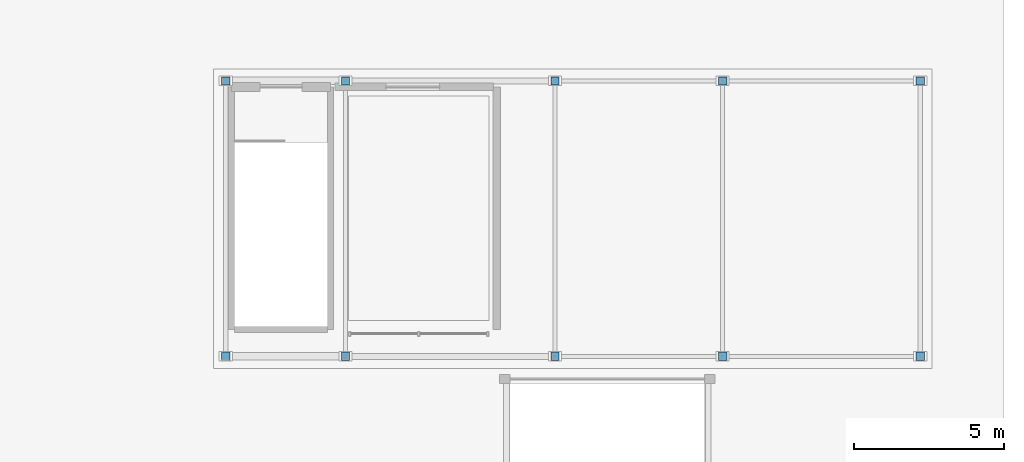
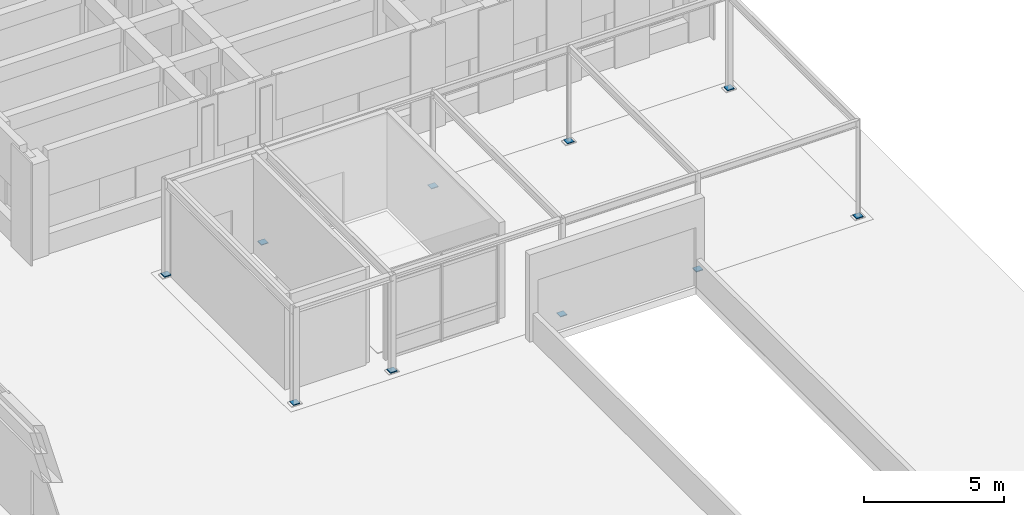
# One storey, part 115 of 135: 10 discrete accessories.
"""IFC4 building model written with IfcOpenShell, lengths in metres."""

from ifc_helpers import new_model, si_unit, direction, frame, origin, origin_2d, place, context, subcontext, project, spatial, rectangle, extrude, material, type_object, element, save


model = new_model("IFC4")

# Units and contexts
model_context = context("Model", 3, precision=1e-05, world=origin(), true_north=direction((0.0, 1.0)))
body_context = subcontext(model_context, "Body", "Model", "MODEL_VIEW")
ifc_project = project(units=[si_unit("LENGTHUNIT", "METRE"), si_unit("AREAUNIT", "SQUARE_METRE"), si_unit("VOLUMEUNIT", "CUBIC_METRE"), si_unit("PLANEANGLEUNIT", "RADIAN"), si_unit("MASSUNIT", "GRAM", prefix="KILO")], contexts=[model_context])

# Site, building, storey
site_placement = place(None, origin())
site = spatial("IfcSite", under=ifc_project, at=site_placement, CompositionType="ELEMENT")
building_placement = place(site_placement, origin())
building = spatial("IfcBuilding", under=site, at=building_placement, Name="Kiranvali Square Residences", CompositionType="ELEMENT")
storey_placement = place(building_placement, origin())
storey = spatial("IfcBuildingStorey", under=building, at=storey_placement, Name="L00", CompositionType="ELEMENT", Elevation=0.0)

# Discrete accessories
ifc_material = material(Name="Structural steel E350", Category="steel")
discrete_accessory_type = type_object("IfcDiscreteAccessoryType", Name="ACC-ANCHOR-M24", PredefinedType="ANCHORPLATE", material=ifc_material)
for number, where, z_axis, x_axis, name in (
    (1, (142.0, 55.39990234375, 0.0283203125), (0.0, 0.0, 1.0), (1.0, 0.0, 0.0), "Steel portal column anchor plate assembly 09"),
    (2, (142.0, 64.60009765625, 0.0283203125), (0.0, 0.0, 1.0), (1.0, 0.0, 0.0), "Steel portal column anchor plate assembly 10"),
    (3, (146.0, 55.39990234375, 0.0283203125), (0.0, 0.0, 1.0), (1.0, 0.0, 0.0), "Steel portal column anchor plate assembly 11"),
    (4, (146.0, 64.60009765625, 0.0283203125), (0.0, 0.0, 1.0), (1.0, 0.0, 0.0), "Steel portal column anchor plate assembly 12"),
    (5, (153.0, 55.39990234375, 0.0283203125), (0.0, 0.0, 1.0), (1.0, 0.0, 0.0), "Steel portal column anchor plate assembly 13"),
    (6, (153.0, 64.60009765625, 0.0283203125), (0.0, 0.0, 1.0), (1.0, 0.0, 0.0), "Steel portal column anchor plate assembly 14"),
    (7, (158.60009765625, 55.39990234375, 0.0283203125), (0.0, 0.0, 1.0), (1.0, 0.0, 0.0), "Steel portal column anchor plate assembly 15"),
    (8, (158.60009765625, 64.60009765625, 0.0283203125), (0.0, 0.0, 1.0), (1.0, 0.0, 0.0), "Steel portal column anchor plate assembly 16"),
    (9, (165.199951171875, 55.39990234375, 0.0283203125), (0.0, 0.0, 1.0), (1.0, 0.0, 0.0), "Steel portal column anchor plate assembly 17"),
    (10, (165.199951171875, 64.60009765625, 0.0283203125), (0.0, 0.0, 1.0), (1.0, 0.0, 0.0), "Steel portal column anchor plate assembly 18"),
):
    element("IfcDiscreteAccessory", number, at=place(storey_placement, frame(where, z_axis=z_axis, x_axis=x_axis)), inside=storey, type_object=discrete_accessory_type, Name=name, PredefinedType="ANCHORPLATE", context=body_context, shape_type="SweptSolid", body=[
        extrude(rectangle(XDim=0.280029296875, YDim=0.280029296875, at=origin_2d()), origin(), (0.0, 0.0, 1.0), 0.034912109375),
    ])

save(model, "model.ifc")
